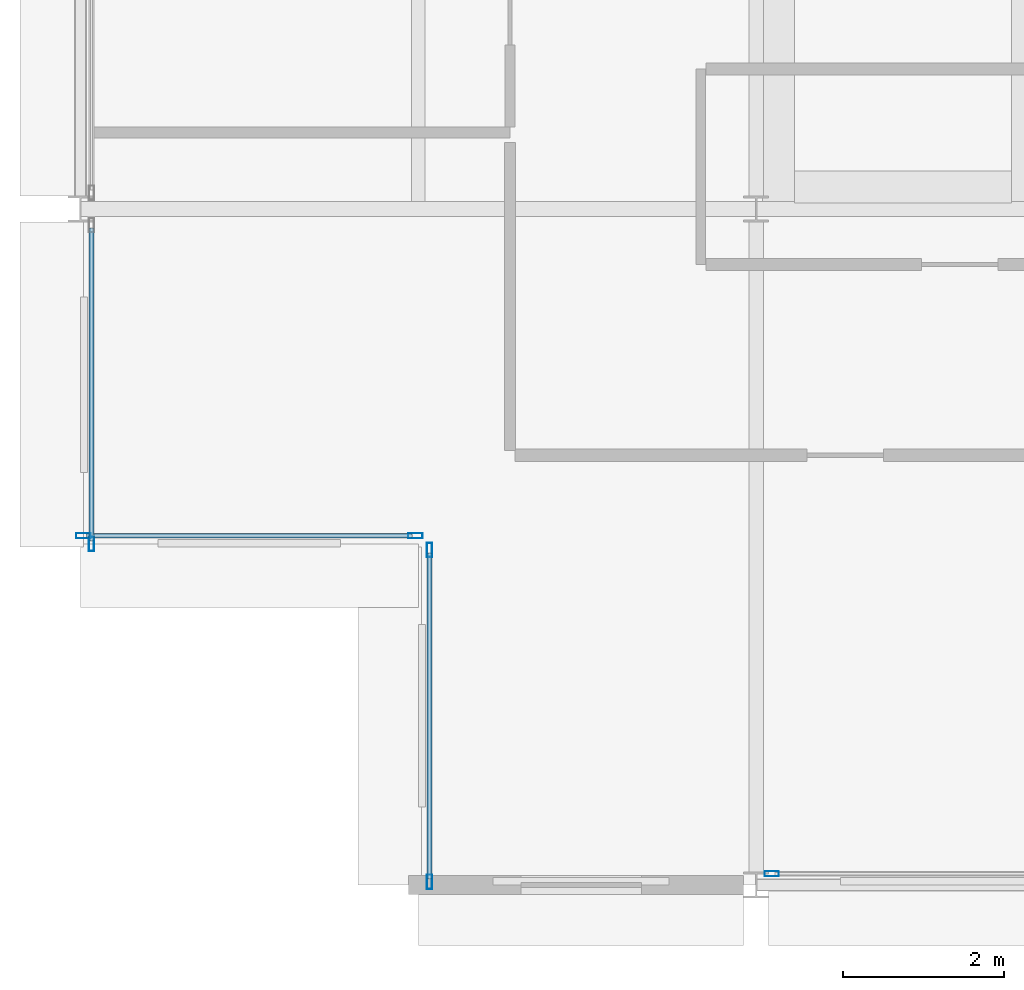
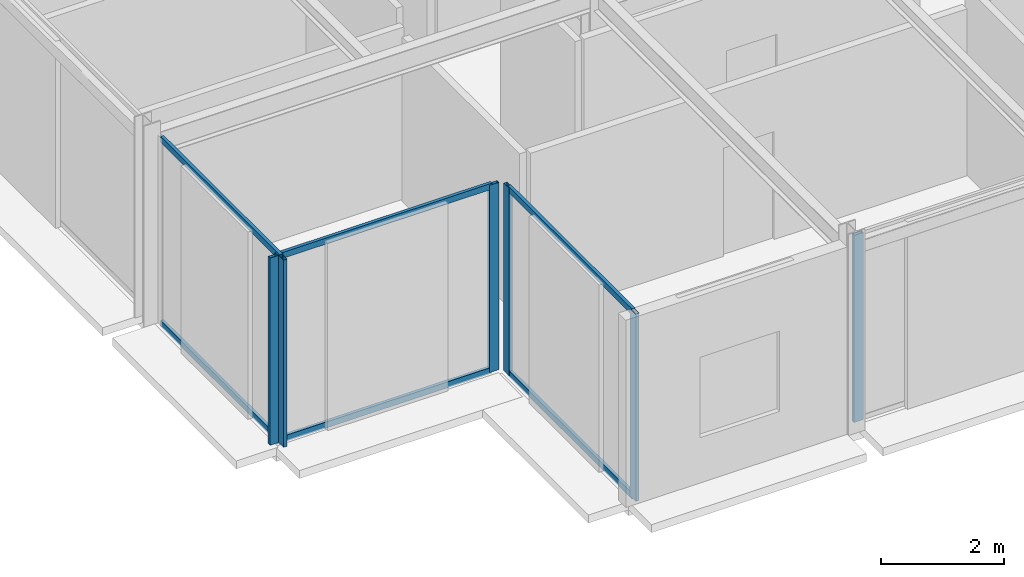
# One storey, part 3 of 25: 12 members, 4 elements without a shape of their own.
"""IFC4 building model written with IfcOpenShell, lengths in metres."""

from ifc_helpers import new_model, si_unit, direction, frame, origin, origin_2d, place, context, subcontext, project, spatial, hollow_rectangle, extrude, material, layer, layer_set, material_profile, profile_set, type_object, element, aggregate, save


model = new_model("IFC4")

# Units and contexts
model_context = context("Model", 3, precision=1e-05, world=origin(), true_north=direction((0.0, 1.0)))
body_context = subcontext(model_context, "Body", "Model", "MODEL_VIEW")
ifc_project = project(units=[si_unit("LENGTHUNIT", "METRE"), si_unit("AREAUNIT", "SQUARE_METRE"), si_unit("VOLUMEUNIT", "CUBIC_METRE"), si_unit("PLANEANGLEUNIT", "RADIAN"), si_unit("MASSUNIT", "GRAM", prefix="KILO")], contexts=[model_context])

# Site, building, storey
site_placement = place(None, origin())
site = spatial("IfcSite", under=ifc_project, at=site_placement, CompositionType="ELEMENT")
building_placement = place(site_placement, origin())
building = spatial("IfcBuilding", under=site, at=building_placement, Name="Nerrivon Quay Data Exchange", CompositionType="ELEMENT")
storey_placement = place(building_placement, frame((0.0, 0.0, 314.199951171875)))
storey = spatial("IfcBuildingStorey", under=building, at=storey_placement, Name="L75", CompositionType="ELEMENT", Elevation=314.199951171875)

# Curtain wall, member
ifc_material = material(Name="Anodised aluminium 6063-T6", Category="aluminium")
ifc_layer = layer(ifc_material, 0.195068359375)
ifc_layer_set = layer_set([ifc_layer], Name="Anodised aluminium 6063-T6")
curtain_wall_type = type_object("IfcCurtainWallType", Name="CW-SYS-06", PredefinedType="NOTDEFINED", material=ifc_layer_set)
curtain_wall_1_placement = place(storey_placement, origin())
curtain_wall_1 = element("IfcCurtainWall", 1, at=curtain_wall_1_placement, inside=storey, type_object=curtain_wall_type, Name="L75 Unitised Curtain Wall 4", PredefinedType="NOTDEFINED")
ifc_material_profile_1 = material_profile(ifc_material, hollow_rectangle(XDim=0.06494140625, YDim=0.179931640625, WallThickness=0.00341796875, at=origin_2d()), Name="ALU-MULL-180x65")
ifc_profile_set_1 = profile_set([ifc_material_profile_1], Name="Anodised aluminium 6063-T6")
member_type_1 = type_object("IfcMemberType", Name="CWM-180x65", PredefinedType="MULLION", material=ifc_profile_set_1)
member_1_placement = place(storey_placement, frame((8.593017578125, 0.139892578125, 0.0), z_axis=(0.0, 0.0, 1.0), x_axis=(0.0, -1.0, 0.0)))
member_1 = element("IfcMember", 2, at=member_1_placement, type_object=member_type_1, Name="CW06 mullion 2", PredefinedType="MULLION", context=body_context, shape_type="SweptSolid", body=[
    extrude(hollow_rectangle(XDim=0.06494140625, YDim=0.179931640625, WallThickness=0.00341796875, at=origin_2d()), origin(), (0.0, 0.0, 1.0), 3.72509765625),
])
aggregate(curtain_wall_1, [member_1])

# Curtain wall, members
curtain_wall_2_placement = place(storey_placement, origin())
curtain_wall_2 = element("IfcCurtainWall", 3, at=curtain_wall_2_placement, inside=storey, type_object=curtain_wall_type, Name="L75 Unitised Curtain Wall 6", PredefinedType="NOTDEFINED")
member_2_placement = place(storey_placement, frame((4.340087890625, 0.03759765625, 0.0), z_axis=(0.0, 0.0, 1.0), x_axis=(-1.0, 0.0, 0.0)))
member_2 = element("IfcMember", 4, at=member_2_placement, type_object=member_type_1, Name="CW06 mullion 1", PredefinedType="MULLION", context=body_context, shape_type="SweptSolid", body=[
    extrude(hollow_rectangle(XDim=0.06494140625, YDim=0.179931640625, WallThickness=0.00341796875, at=origin_2d()), origin(), (0.0, 0.0, 1.0), 3.72509765625),
])
member_3_placement = place(storey_placement, frame((4.340087890625, 4.16259765625, 0.0), z_axis=(0.0, 0.0, 1.0), x_axis=(-1.0, 0.0, 0.0)))
member_3 = element("IfcMember", 5, at=member_3_placement, type_object=member_type_1, Name="CW06 mullion 2", PredefinedType="MULLION", context=body_context, shape_type="SweptSolid", body=[
    extrude(hollow_rectangle(XDim=0.06494140625, YDim=0.179931640625, WallThickness=0.00341796875, at=origin_2d()), origin(), (0.0, 0.0, 1.0), 3.72509765625),
])

curtain_wall_3_placement = place(storey_placement, origin())
curtain_wall_3 = element("IfcCurtainWall", 6, at=curtain_wall_3_placement, inside=storey, type_object=curtain_wall_type, Name="L75 Unitised Curtain Wall 7", PredefinedType="NOTDEFINED")
member_4_placement = place(storey_placement, frame((4.16259765625, 4.340087890625, 0.0), z_axis=(0.0, 0.0, 1.0), x_axis=(0.0, -1.0, 0.0)))
member_4 = element("IfcMember", 7, at=member_4_placement, type_object=member_type_1, Name="CW06 mullion 1", PredefinedType="MULLION", context=body_context, shape_type="SweptSolid", body=[
    extrude(hollow_rectangle(XDim=0.06494140625, YDim=0.179931640625, WallThickness=0.00341796875, at=origin_2d()), origin(), (0.0, 0.0, 1.0), 3.72509765625),
])
member_5_placement = place(storey_placement, frame((0.03759765625, 4.340087890625, 0.0), z_axis=(0.0, 0.0, 1.0), x_axis=(0.0, -1.0, 0.0)))
member_5 = element("IfcMember", 8, at=member_5_placement, type_object=member_type_1, Name="CW06 mullion 2", PredefinedType="MULLION", context=body_context, shape_type="SweptSolid", body=[
    extrude(hollow_rectangle(XDim=0.06494140625, YDim=0.179931640625, WallThickness=0.00341796875, at=origin_2d()), origin(), (0.0, 0.0, 1.0), 3.72509765625),
])

# Curtain wall, member
curtain_wall_4_placement = place(storey_placement, origin())
curtain_wall_4 = element("IfcCurtainWall", 9, at=curtain_wall_4_placement, inside=storey, type_object=curtain_wall_type, Name="L75 Unitised Curtain Wall 8", PredefinedType="NOTDEFINED")
member_6_placement = place(storey_placement, frame((0.139892578125, 4.237548828125, 0.0), z_axis=(0.0, 0.0, 1.0), x_axis=(-1.0, 0.0, 0.0)))
member_6 = element("IfcMember", 10, at=member_6_placement, type_object=member_type_1, Name="CW06 mullion 1", PredefinedType="MULLION", context=body_context, shape_type="SweptSolid", body=[
    extrude(hollow_rectangle(XDim=0.06494140625, YDim=0.179931640625, WallThickness=0.00341796875, at=origin_2d()), origin(), (0.0, 0.0, 1.0), 3.72509765625),
])

# Member
ifc_material_profile_2 = material_profile(ifc_material, hollow_rectangle(XDim=0.06005859375, YDim=0.1201171875, WallThickness=0.003173828125, at=origin_2d()), Name="ALU-TRAN-120x60")
ifc_profile_set_2 = profile_set([ifc_material_profile_2], Name="Anodised aluminium 6063-T6")
member_type_2 = type_object("IfcMemberType", Name="CWT-120x60", PredefinedType="USERDEFINED", material=ifc_profile_set_2)
member_7_placement = place(storey_placement, frame((4.340087890625, 0.074951171875, 0.032470703125), z_axis=(0.0, 1.0, 0.0), x_axis=(-1.0, 0.0, 0.0)))
member_7 = element("IfcMember", 11, at=member_7_placement, type_object=member_type_2, Name="CW06 transom 1.1", ObjectType="TRANSOM", PredefinedType="USERDEFINED", context=body_context, shape_type="SweptSolid", body=[
    extrude(hollow_rectangle(XDim=0.06005859375, YDim=0.1201171875, WallThickness=0.003173828125, at=origin_2d()), origin(), (0.0, 0.0, 1.0), 4.050048828125),
])

member_8_placement = place(storey_placement, frame((4.340087890625, 0.074951171875, 3.692626953125), z_axis=(0.0, 1.0, 0.0), x_axis=(-1.0, 0.0, 0.0)))
member_8 = element("IfcMember", 12, at=member_8_placement, type_object=member_type_2, Name="CW06 transom 1.2", ObjectType="TRANSOM", PredefinedType="USERDEFINED", context=body_context, shape_type="SweptSolid", body=[
    extrude(hollow_rectangle(XDim=0.06005859375, YDim=0.1201171875, WallThickness=0.003173828125, at=origin_2d()), origin(), (0.0, 0.0, 1.0), 4.050048828125),
])

aggregate(curtain_wall_2, [member_2, member_3, member_7, member_8])

member_9_placement = place(storey_placement, frame((4.125, 4.340087890625, 0.032470703125), z_axis=(-1.0, 0.0, 0.0), x_axis=(0.0, -1.0, 0.0)))
member_9 = element("IfcMember", 13, at=member_9_placement, type_object=member_type_2, Name="CW06 transom 1.1", ObjectType="TRANSOM", PredefinedType="USERDEFINED", context=body_context, shape_type="SweptSolid", body=[
    extrude(hollow_rectangle(XDim=0.06005859375, YDim=0.1201171875, WallThickness=0.003173828125, at=origin_2d()), origin(), (0.0, 0.0, 1.0), 4.050048828125),
])

member_10_placement = place(storey_placement, frame((4.125, 4.340087890625, 3.692626953125), z_axis=(-1.0, 0.0, 0.0), x_axis=(0.0, -1.0, 0.0)))
member_10 = element("IfcMember", 14, at=member_10_placement, type_object=member_type_2, Name="CW06 transom 1.2", ObjectType="TRANSOM", PredefinedType="USERDEFINED", context=body_context, shape_type="SweptSolid", body=[
    extrude(hollow_rectangle(XDim=0.06005859375, YDim=0.1201171875, WallThickness=0.003173828125, at=origin_2d()), origin(), (0.0, 0.0, 1.0), 4.050048828125),
])

aggregate(curtain_wall_3, [member_4, member_5, member_9, member_10])

member_11_placement = place(storey_placement, frame((0.139892578125, 4.27490234375, 0.032470703125), z_axis=(0.0, 1.0, 0.0), x_axis=(-1.0, 0.0, 0.0)))
member_11 = element("IfcMember", 15, at=member_11_placement, type_object=member_type_2, Name="CW06 transom 1.1", ObjectType="TRANSOM", PredefinedType="USERDEFINED", context=body_context, shape_type="SweptSolid", body=[
    extrude(hollow_rectangle(XDim=0.06005859375, YDim=0.1201171875, WallThickness=0.003173828125, at=origin_2d()), origin(), (0.0, 0.0, 1.0), 3.88671875),
])

member_12_placement = place(storey_placement, frame((0.139892578125, 4.27490234375, 3.692626953125), z_axis=(0.0, 1.0, 0.0), x_axis=(-1.0, 0.0, 0.0)))
member_12 = element("IfcMember", 16, at=member_12_placement, type_object=member_type_2, Name="CW06 transom 1.2", ObjectType="TRANSOM", PredefinedType="USERDEFINED", context=body_context, shape_type="SweptSolid", body=[
    extrude(hollow_rectangle(XDim=0.06005859375, YDim=0.1201171875, WallThickness=0.003173828125, at=origin_2d()), origin(), (0.0, 0.0, 1.0), 3.88671875),
])

aggregate(curtain_wall_4, [member_6, member_11, member_12])

save(model, "model.ifc")
